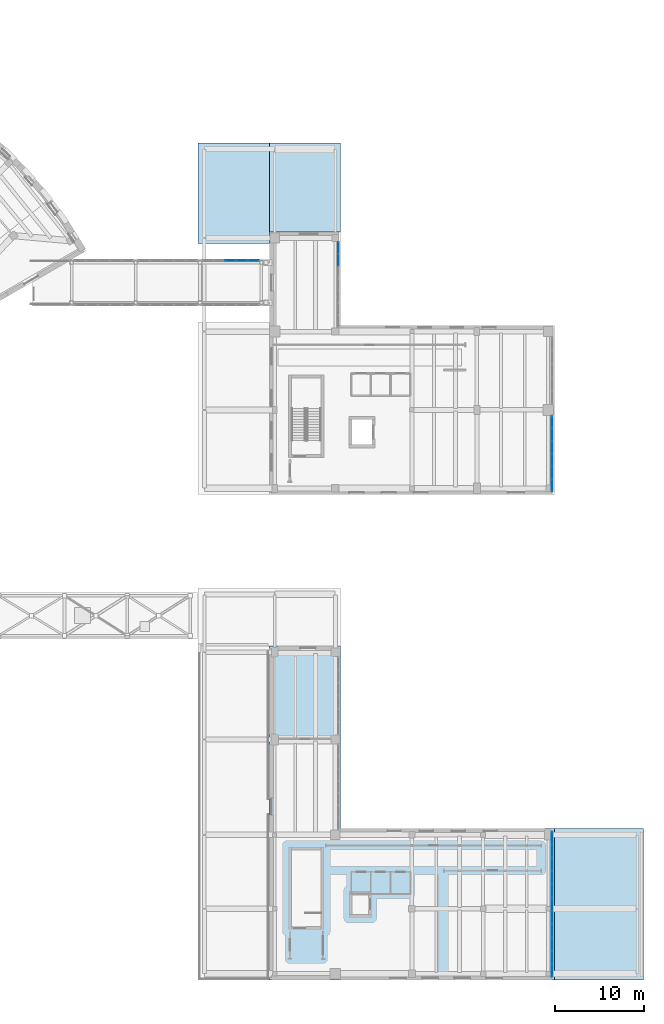
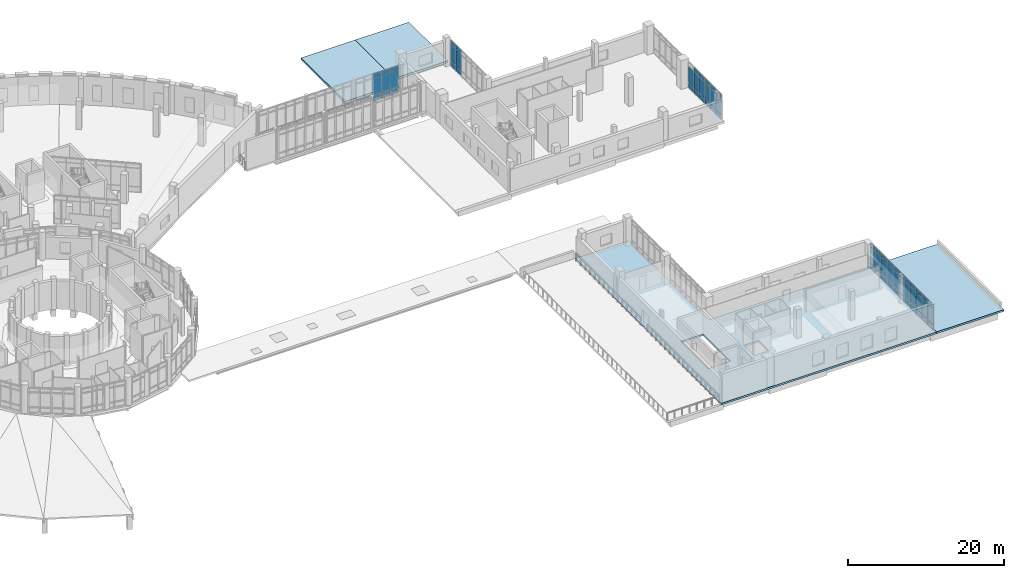
# One storey, part 44 of 75: 65 plates, 4 slabs, 4 elements without a shape of their own.
"""IFC4 building model written with IfcOpenShell, lengths in metres."""

from ifc_helpers import new_model, si_unit, direction, frame, origin, origin_2d, place, context, subcontext, project, spatial, polyline, rectangle, outline, extrude, material, layer, layer_set, type_object, element, aggregate, save


model = new_model("IFC4")

# Units and contexts
model_context = context("Model", 3, precision=1e-05, world=origin(), true_north=direction((0.0, 1.0)))
body_context = subcontext(model_context, "Body", "Model", "MODEL_VIEW")
ifc_project = project(units=[si_unit("LENGTHUNIT", "METRE"), si_unit("AREAUNIT", "SQUARE_METRE"), si_unit("VOLUMEUNIT", "CUBIC_METRE"), si_unit("PLANEANGLEUNIT", "RADIAN"), si_unit("MASSUNIT", "GRAM", prefix="KILO")], contexts=[model_context])

# Site, building, storey
site_placement = place(None, origin())
site = spatial("IfcSite", under=ifc_project, at=site_placement, CompositionType="ELEMENT")
building_placement = place(site_placement, origin())
building = spatial("IfcBuilding", under=site, at=building_placement, Name="Soyqirgoq Riverine Aquarium", CompositionType="ELEMENT")
storey_placement = place(building_placement, frame((0.0, 0.0, 10.199951171875)))
storey = spatial("IfcBuildingStorey", under=building, at=storey_placement, Name="L03", CompositionType="ELEMENT", Elevation=10.199951171875)

# Curtain wall, plates
ifc_material_1 = material(Name="Anodised aluminium thermally broken gallery curtain wall", Category="aluminium")
curtain_wall_type_1 = type_object("IfcCurtainWallType", Name="CW_Pavilion_Ribbon", PredefinedType="NOTDEFINED", material=ifc_material_1)
curtain_wall_1_placement = place(storey_placement, origin())
curtain_wall_1 = element("IfcCurtainWall", 1, at=curtain_wall_1_placement, inside=storey, type_object=curtain_wall_type_1, Name="V7 L03 Curtain Wall 134", PredefinedType="NOTDEFINED")
ifc_material_2 = material(Name="Triple insulated laminated low-E glass", Category="glass")
ifc_layer_1 = layer(ifc_material_2, 0.0458984375)
ifc_layer_set_1 = layer_set([ifc_layer_1], Name="Triple insulated laminated low-E glass")
plate_type_1 = type_object("IfcPlateType", Name="CWGlazedPanel_46", PredefinedType="CURTAIN_PANEL", material=ifc_layer_set_1)
plate_1_placement = place(storey_placement, frame((153.75, 64.14794921875, 0.074951171875), z_axis=(0.0, 0.0, 1.0), x_axis=(0.0, -1.0, 0.0)))
plate_1 = element("IfcPlate", 2, at=plate_1_placement, type_object=plate_type_1, Name="CW-05 panel 1.1", PredefinedType="CURTAIN_PANEL", context=body_context, shape_type="SweptSolid", body=[
    extrude(rectangle(XDim=1.334228515625, YDim=0.0458984375, at=origin_2d()), origin(), (0.0, 0.0, 1.0), 0.78759765625),
])
plate_2_placement = place(storey_placement, frame((153.75, 64.14794921875, 0.9375), z_axis=(0.0, 0.0, 1.0), x_axis=(0.0, -1.0, 0.0)))
plate_2 = element("IfcPlate", 3, at=plate_2_placement, type_object=plate_type_1, Name="CW-05 panel 1.2", PredefinedType="CURTAIN_PANEL", context=body_context, shape_type="SweptSolid", body=[
    extrude(rectangle(XDim=1.334228515625, YDim=0.0458984375, at=origin_2d()), origin(), (0.0, 0.0, 1.0), 2.47509765625),
])
plate_3_placement = place(storey_placement, frame((153.75, 62.732421875, 0.074951171875), z_axis=(0.0, 0.0, 1.0), x_axis=(0.0, -1.0, 0.0)))
plate_3 = element("IfcPlate", 4, at=plate_3_placement, type_object=plate_type_1, Name="CW-05 panel 2.1", PredefinedType="CURTAIN_PANEL", context=body_context, shape_type="SweptSolid", body=[
    extrude(rectangle(XDim=1.36669921875, YDim=0.0458984375, at=origin_2d()), origin(), (0.0, 0.0, 1.0), 0.78759765625),
])
plate_4_placement = place(storey_placement, frame((153.75, 62.732421875, 0.9375), z_axis=(0.0, 0.0, 1.0), x_axis=(0.0, -1.0, 0.0)))
plate_4 = element("IfcPlate", 5, at=plate_4_placement, type_object=plate_type_1, Name="CW-05 panel 2.2", PredefinedType="CURTAIN_PANEL", context=body_context, shape_type="SweptSolid", body=[
    extrude(rectangle(XDim=1.36669921875, YDim=0.0458984375, at=origin_2d()), origin(), (0.0, 0.0, 1.0), 2.47509765625),
])
plate_5_placement = place(storey_placement, frame((153.75, 62.732421875, 3.487548828125), z_axis=(0.0, 0.0, 1.0), x_axis=(0.0, -1.0, 0.0)))
plate_5 = element("IfcPlate", 6, at=plate_5_placement, type_object=plate_type_1, Name="CW-05 panel 2.3", PredefinedType="CURTAIN_PANEL", context=body_context, shape_type="SweptSolid", body=[
    extrude(rectangle(XDim=1.36669921875, YDim=0.0458984375, at=origin_2d()), origin(), (0.0, 0.0, 1.0), 0.58740234375),
])
plate_6_placement = place(storey_placement, frame((153.75, 61.30078125, 0.074951171875), z_axis=(0.0, 0.0, 1.0), x_axis=(0.0, -1.0, 0.0)))
plate_6 = element("IfcPlate", 7, at=plate_6_placement, type_object=plate_type_1, Name="CW-05 panel 3.1", PredefinedType="CURTAIN_PANEL", context=body_context, shape_type="SweptSolid", body=[
    extrude(rectangle(XDim=1.36669921875, YDim=0.0458984375, at=origin_2d()), origin(), (0.0, 0.0, 1.0), 0.78759765625),
])
plate_7_placement = place(storey_placement, frame((153.75, 61.30078125, 0.9375), z_axis=(0.0, 0.0, 1.0), x_axis=(0.0, -1.0, 0.0)))
plate_7 = element("IfcPlate", 8, at=plate_7_placement, type_object=plate_type_1, Name="CW-05 panel 3.2", PredefinedType="CURTAIN_PANEL", context=body_context, shape_type="SweptSolid", body=[
    extrude(rectangle(XDim=1.36669921875, YDim=0.0458984375, at=origin_2d()), origin(), (0.0, 0.0, 1.0), 2.47509765625),
])
plate_8_placement = place(storey_placement, frame((153.75, 61.30078125, 3.487548828125), z_axis=(0.0, 0.0, 1.0), x_axis=(0.0, -1.0, 0.0)))
plate_8 = element("IfcPlate", 9, at=plate_8_placement, type_object=plate_type_1, Name="CW-05 panel 3.3", PredefinedType="CURTAIN_PANEL", context=body_context, shape_type="SweptSolid", body=[
    extrude(rectangle(XDim=1.36669921875, YDim=0.0458984375, at=origin_2d()), origin(), (0.0, 0.0, 1.0), 0.58740234375),
])
plate_9_placement = place(storey_placement, frame((153.75, 59.869140625, 0.074951171875), z_axis=(0.0, 0.0, 1.0), x_axis=(0.0, -1.0, 0.0)))
plate_9 = element("IfcPlate", 10, at=plate_9_placement, type_object=plate_type_1, Name="CW-05 panel 4.1", PredefinedType="CURTAIN_PANEL", context=body_context, shape_type="SweptSolid", body=[
    extrude(rectangle(XDim=1.36669921875, YDim=0.0458984375, at=origin_2d()), origin(), (0.0, 0.0, 1.0), 0.78759765625),
])
plate_10_placement = place(storey_placement, frame((153.75, 59.869140625, 0.9375), z_axis=(0.0, 0.0, 1.0), x_axis=(0.0, -1.0, 0.0)))
plate_10 = element("IfcPlate", 11, at=plate_10_placement, type_object=plate_type_1, Name="CW-05 panel 4.2", PredefinedType="CURTAIN_PANEL", context=body_context, shape_type="SweptSolid", body=[
    extrude(rectangle(XDim=1.36669921875, YDim=0.0458984375, at=origin_2d()), origin(), (0.0, 0.0, 1.0), 2.47509765625),
])
plate_11_placement = place(storey_placement, frame((153.75, 59.869140625, 3.487548828125), z_axis=(0.0, 0.0, 1.0), x_axis=(0.0, -1.0, 0.0)))
plate_11 = element("IfcPlate", 12, at=plate_11_placement, type_object=plate_type_1, Name="CW-05 panel 4.3", PredefinedType="CURTAIN_PANEL", context=body_context, shape_type="SweptSolid", body=[
    extrude(rectangle(XDim=1.36669921875, YDim=0.0458984375, at=origin_2d()), origin(), (0.0, 0.0, 1.0), 0.58740234375),
])
plate_12_placement = place(storey_placement, frame((153.75, 58.4375, 0.074951171875), z_axis=(0.0, 0.0, 1.0), x_axis=(0.0, -1.0, 0.0)))
plate_12 = element("IfcPlate", 13, at=plate_12_placement, type_object=plate_type_1, Name="CW-05 panel 5.1", PredefinedType="CURTAIN_PANEL", context=body_context, shape_type="SweptSolid", body=[
    extrude(rectangle(XDim=1.36669921875, YDim=0.0458984375, at=origin_2d()), origin(), (0.0, 0.0, 1.0), 0.78759765625),
])
plate_13_placement = place(storey_placement, frame((153.75, 58.4375, 0.9375), z_axis=(0.0, 0.0, 1.0), x_axis=(0.0, -1.0, 0.0)))
plate_13 = element("IfcPlate", 14, at=plate_13_placement, type_object=plate_type_1, Name="CW-05 panel 5.2", PredefinedType="CURTAIN_PANEL", context=body_context, shape_type="SweptSolid", body=[
    extrude(rectangle(XDim=1.36669921875, YDim=0.0458984375, at=origin_2d()), origin(), (0.0, 0.0, 1.0), 2.47509765625),
])
plate_14_placement = place(storey_placement, frame((153.75, 58.4375, 3.487548828125), z_axis=(0.0, 0.0, 1.0), x_axis=(0.0, -1.0, 0.0)))
plate_14 = element("IfcPlate", 15, at=plate_14_placement, type_object=plate_type_1, Name="CW-05 panel 5.3", PredefinedType="CURTAIN_PANEL", context=body_context, shape_type="SweptSolid", body=[
    extrude(rectangle(XDim=1.36669921875, YDim=0.0458984375, at=origin_2d()), origin(), (0.0, 0.0, 1.0), 0.58740234375),
])
plate_15_placement = place(storey_placement, frame((153.75, 57.02197265625, 0.074951171875), z_axis=(0.0, 0.0, 1.0), x_axis=(0.0, -1.0, 0.0)))
plate_15 = element("IfcPlate", 16, at=plate_15_placement, type_object=plate_type_1, Name="CW-05 panel 6.1", PredefinedType="CURTAIN_PANEL", context=body_context, shape_type="SweptSolid", body=[
    extrude(rectangle(XDim=1.334228515625, YDim=0.0458984375, at=origin_2d()), origin(), (0.0, 0.0, 1.0), 0.78759765625),
])
plate_16_placement = place(storey_placement, frame((153.75, 57.02197265625, 0.9375), z_axis=(0.0, 0.0, 1.0), x_axis=(0.0, -1.0, 0.0)))
plate_16 = element("IfcPlate", 17, at=plate_16_placement, type_object=plate_type_1, Name="CW-05 panel 6.2", PredefinedType="CURTAIN_PANEL", context=body_context, shape_type="SweptSolid", body=[
    extrude(rectangle(XDim=1.334228515625, YDim=0.0458984375, at=origin_2d()), origin(), (0.0, 0.0, 1.0), 2.47509765625),
])
plate_17_placement = place(storey_placement, frame((153.75, 57.02197265625, 3.487548828125), z_axis=(0.0, 0.0, 1.0), x_axis=(0.0, -1.0, 0.0)))
plate_17 = element("IfcPlate", 18, at=plate_17_placement, type_object=plate_type_1, Name="CW-05 panel 6.3", PredefinedType="CURTAIN_PANEL", context=body_context, shape_type="SweptSolid", body=[
    extrude(rectangle(XDim=1.334228515625, YDim=0.0458984375, at=origin_2d()), origin(), (0.0, 0.0, 1.0), 0.58740234375),
])
aggregate(curtain_wall_1, [plate_1, plate_2, plate_3, plate_4, plate_5, plate_6, plate_7, plate_8, plate_9, plate_10, plate_11, plate_12, plate_13, plate_14, plate_15, plate_16, plate_17])

ifc_material_3 = material(Name="Laminated solar-control bridge curtain wall", Category="aluminium")
curtain_wall_type_2 = type_object("IfcCurtainWallType", Name="CW_Bridge_Concourse", PredefinedType="NOTDEFINED", material=ifc_material_3)
curtain_wall_2_placement = place(storey_placement, origin())
curtain_wall_2 = element("IfcCurtainWall", 19, at=curtain_wall_2_placement, inside=storey, type_object=curtain_wall_type_2, Name="BR-2 L03 Curtain Wall 146", PredefinedType="NOTDEFINED")
plate_18_placement = place(storey_placement, frame((117.64990234375, 82.280029296875, 0.074951171875), z_axis=(0.0, 0.0, 1.0), x_axis=(1.0, 0.0, 0.0)))
plate_18 = element("IfcPlate", 20, at=plate_18_placement, type_object=plate_type_1, Name="CW-06 panel 3.1", PredefinedType="CURTAIN_PANEL", context=body_context, shape_type="SweptSolid", body=[
    extrude(rectangle(XDim=1.2041015625, YDim=0.0458984375, at=origin_2d()), origin(), (0.0, 0.0, 1.0), 0.78759765625),
])
plate_19_placement = place(storey_placement, frame((117.64990234375, 82.280029296875, 0.9375), z_axis=(0.0, 0.0, 1.0), x_axis=(1.0, 0.0, 0.0)))
plate_19 = element("IfcPlate", 21, at=plate_19_placement, type_object=plate_type_1, Name="CW-06 panel 3.2", PredefinedType="CURTAIN_PANEL", context=body_context, shape_type="SweptSolid", body=[
    extrude(rectangle(XDim=1.2041015625, YDim=0.0458984375, at=origin_2d()), origin(), (0.0, 0.0, 1.0), 2.824951171875),
])
plate_20_placement = place(storey_placement, frame((117.64990234375, 82.280029296875, 3.837646484375), z_axis=(0.0, 0.0, 1.0), x_axis=(1.0, 0.0, 0.0)))
plate_20 = element("IfcPlate", 22, at=plate_20_placement, type_object=plate_type_1, Name="CW-06 panel 3.3", PredefinedType="CURTAIN_PANEL", context=body_context, shape_type="SweptSolid", body=[
    extrude(rectangle(XDim=1.2041015625, YDim=0.0458984375, at=origin_2d()), origin(), (0.0, 0.0, 1.0), 0.58740234375),
])
plate_21_placement = place(storey_placement, frame((118.93408203125, 82.280029296875, 0.074951171875), z_axis=(0.0, 0.0, 1.0), x_axis=(1.0, 0.0, 0.0)))
plate_21 = element("IfcPlate", 23, at=plate_21_placement, type_object=plate_type_1, Name="CW-06 panel 4.1", PredefinedType="CURTAIN_PANEL", context=body_context, shape_type="SweptSolid", body=[
    extrude(rectangle(XDim=1.2041015625, YDim=0.0458984375, at=origin_2d()), origin(), (0.0, 0.0, 1.0), 0.78759765625),
])
plate_22_placement = place(storey_placement, frame((118.93408203125, 82.280029296875, 0.9375), z_axis=(0.0, 0.0, 1.0), x_axis=(1.0, 0.0, 0.0)))
plate_22 = element("IfcPlate", 24, at=plate_22_placement, type_object=plate_type_1, Name="CW-06 panel 4.2", PredefinedType="CURTAIN_PANEL", context=body_context, shape_type="SweptSolid", body=[
    extrude(rectangle(XDim=1.2041015625, YDim=0.0458984375, at=origin_2d()), origin(), (0.0, 0.0, 1.0), 2.824951171875),
])
plate_23_placement = place(storey_placement, frame((118.93408203125, 82.280029296875, 3.837646484375), z_axis=(0.0, 0.0, 1.0), x_axis=(1.0, 0.0, 0.0)))
plate_23 = element("IfcPlate", 25, at=plate_23_placement, type_object=plate_type_1, Name="CW-06 panel 4.3", PredefinedType="CURTAIN_PANEL", context=body_context, shape_type="SweptSolid", body=[
    extrude(rectangle(XDim=1.2041015625, YDim=0.0458984375, at=origin_2d()), origin(), (0.0, 0.0, 1.0), 0.58740234375),
])
plate_24_placement = place(storey_placement, frame((120.197998046875, 82.280029296875, 0.074951171875), z_axis=(0.0, 0.0, 1.0), x_axis=(1.0, 0.0, 0.0)))
plate_24 = element("IfcPlate", 26, at=plate_24_placement, type_object=plate_type_1, Name="CW-06 panel 5.1", PredefinedType="CURTAIN_PANEL", context=body_context, shape_type="SweptSolid", body=[
    extrude(rectangle(XDim=1.1640625, YDim=0.0458984375, at=origin_2d()), origin(), (0.0, 0.0, 1.0), 0.78759765625),
])
plate_25_placement = place(storey_placement, frame((120.197998046875, 82.280029296875, 0.9375), z_axis=(0.0, 0.0, 1.0), x_axis=(1.0, 0.0, 0.0)))
plate_25 = element("IfcPlate", 27, at=plate_25_placement, type_object=plate_type_1, Name="CW-06 panel 5.2", PredefinedType="CURTAIN_PANEL", context=body_context, shape_type="SweptSolid", body=[
    extrude(rectangle(XDim=1.1640625, YDim=0.0458984375, at=origin_2d()), origin(), (0.0, 0.0, 1.0), 2.824951171875),
])
plate_26_placement = place(storey_placement, frame((120.197998046875, 82.280029296875, 3.837646484375), z_axis=(0.0, 0.0, 1.0), x_axis=(1.0, 0.0, 0.0)))
plate_26 = element("IfcPlate", 28, at=plate_26_placement, type_object=plate_type_1, Name="CW-06 panel 5.3", PredefinedType="CURTAIN_PANEL", context=body_context, shape_type="SweptSolid", body=[
    extrude(rectangle(XDim=1.1640625, YDim=0.0458984375, at=origin_2d()), origin(), (0.0, 0.0, 1.0), 0.58740234375),
])
aggregate(curtain_wall_2, [plate_18, plate_19, plate_20, plate_21, plate_22, plate_23, plate_24, plate_25, plate_26])

curtain_wall_3_placement = place(storey_placement, origin())
curtain_wall_3 = element("IfcCurtainWall", 29, at=curtain_wall_3_placement, inside=storey, type_object=curtain_wall_type_1, Name="V6 L03 Curtain Wall 120", PredefinedType="NOTDEFINED")
ifc_material_4 = material(Name="Insulated shadow-box aluminium spandrel panel", Category="aluminium")
ifc_layer_2 = layer(ifc_material_4, 0.06005859375)
ifc_layer_set_2 = layer_set([ifc_layer_2], Name="Insulated shadow-box aluminium spandrel panel")
plate_type_2 = type_object("IfcPlateType", Name="CWSpandrelPanel_60", PredefinedType="CURTAIN_PANEL", material=ifc_layer_set_2)
plate_27_placement = place(storey_placement, frame((153.75, 17.447265625, 0.074951171875), z_axis=(0.0, 0.0, 1.0), x_axis=(0.0, -1.0, 0.0)))
plate_27 = element("IfcPlate", 30, at=plate_27_placement, type_object=plate_type_2, Name="CW-05 panel 1.1", PredefinedType="CURTAIN_PANEL", context=body_context, shape_type="SweptSolid", body=[
    extrude(rectangle(XDim=1.395263671875, YDim=0.06005859375, at=origin_2d()), origin(), (0.0, 0.0, 1.0), 0.78759765625),
])
plate_28_placement = place(storey_placement, frame((153.75, 17.447265625, 0.9375), z_axis=(0.0, 0.0, 1.0), x_axis=(0.0, -1.0, 0.0)))
plate_28 = element("IfcPlate", 31, at=plate_28_placement, type_object=plate_type_2, Name="CW-05 panel 1.2", PredefinedType="CURTAIN_PANEL", context=body_context, shape_type="SweptSolid", body=[
    extrude(rectangle(XDim=1.395263671875, YDim=0.06005859375, at=origin_2d()), origin(), (0.0, 0.0, 1.0), 2.514892578125),
])
plate_29_placement = place(storey_placement, frame((153.75, 17.447265625, 3.527587890625), z_axis=(0.0, 0.0, 1.0), x_axis=(0.0, -1.0, 0.0)))
plate_29 = element("IfcPlate", 32, at=plate_29_placement, type_object=plate_type_2, Name="CW-05 panel 1.3", PredefinedType="CURTAIN_PANEL", context=body_context, shape_type="SweptSolid", body=[
    extrude(rectangle(XDim=1.395263671875, YDim=0.06005859375, at=origin_2d()), origin(), (0.0, 0.0, 1.0), 0.58740234375),
])
plate_30_placement = place(storey_placement, frame((153.75, 15.970947265625, 0.074951171875), z_axis=(0.0, 0.0, 1.0), x_axis=(0.0, -1.0, 0.0)))
plate_30 = element("IfcPlate", 33, at=plate_30_placement, type_object=plate_type_2, Name="CW-05 panel 2.1", PredefinedType="CURTAIN_PANEL", context=body_context, shape_type="SweptSolid", body=[
    extrude(rectangle(XDim=1.427734375, YDim=0.06005859375, at=origin_2d()), origin(), (0.0, 0.0, 1.0), 0.78759765625),
])
plate_31_placement = place(storey_placement, frame((153.75, 15.970947265625, 0.9375), z_axis=(0.0, 0.0, 1.0), x_axis=(0.0, -1.0, 0.0)))
plate_31 = element("IfcPlate", 34, at=plate_31_placement, type_object=plate_type_2, Name="CW-05 panel 2.2", PredefinedType="CURTAIN_PANEL", context=body_context, shape_type="SweptSolid", body=[
    extrude(rectangle(XDim=1.427734375, YDim=0.06005859375, at=origin_2d()), origin(), (0.0, 0.0, 1.0), 2.514892578125),
])
plate_32_placement = place(storey_placement, frame((153.75, 15.970947265625, 3.527587890625), z_axis=(0.0, 0.0, 1.0), x_axis=(0.0, -1.0, 0.0)))
plate_32 = element("IfcPlate", 35, at=plate_32_placement, type_object=plate_type_2, Name="CW-05 panel 2.3", PredefinedType="CURTAIN_PANEL", context=body_context, shape_type="SweptSolid", body=[
    extrude(rectangle(XDim=1.427734375, YDim=0.06005859375, at=origin_2d()), origin(), (0.0, 0.0, 1.0), 0.58740234375),
])
plate_33_placement = place(storey_placement, frame((153.75, 14.478271484375, 0.074951171875), z_axis=(0.0, 0.0, 1.0), x_axis=(0.0, -1.0, 0.0)))
plate_33 = element("IfcPlate", 36, at=plate_33_placement, type_object=plate_type_2, Name="CW-05 panel 3.1", PredefinedType="CURTAIN_PANEL", context=body_context, shape_type="SweptSolid", body=[
    extrude(rectangle(XDim=1.427734375, YDim=0.06005859375, at=origin_2d()), origin(), (0.0, 0.0, 1.0), 0.78759765625),
])
plate_34_placement = place(storey_placement, frame((153.75, 14.478271484375, 0.9375), z_axis=(0.0, 0.0, 1.0), x_axis=(0.0, -1.0, 0.0)))
plate_34 = element("IfcPlate", 37, at=plate_34_placement, type_object=plate_type_2, Name="CW-05 panel 3.2", PredefinedType="CURTAIN_PANEL", context=body_context, shape_type="SweptSolid", body=[
    extrude(rectangle(XDim=1.427734375, YDim=0.06005859375, at=origin_2d()), origin(), (0.0, 0.0, 1.0), 2.514892578125),
])
plate_35_placement = place(storey_placement, frame((153.75, 14.478271484375, 3.527587890625), z_axis=(0.0, 0.0, 1.0), x_axis=(0.0, -1.0, 0.0)))
plate_35 = element("IfcPlate", 38, at=plate_35_placement, type_object=plate_type_2, Name="CW-05 panel 3.3", PredefinedType="CURTAIN_PANEL", context=body_context, shape_type="SweptSolid", body=[
    extrude(rectangle(XDim=1.427734375, YDim=0.06005859375, at=origin_2d()), origin(), (0.0, 0.0, 1.0), 0.58740234375),
])
plate_36_placement = place(storey_placement, frame((153.75, 12.9853515625, 0.074951171875), z_axis=(0.0, 0.0, 1.0), x_axis=(0.0, -1.0, 0.0)))
plate_36 = element("IfcPlate", 39, at=plate_36_placement, type_object=plate_type_2, Name="CW-05 panel 4.1", PredefinedType="CURTAIN_PANEL", context=body_context, shape_type="SweptSolid", body=[
    extrude(rectangle(XDim=1.427734375, YDim=0.06005859375, at=origin_2d()), origin(), (0.0, 0.0, 1.0), 0.78759765625),
])
plate_37_placement = place(storey_placement, frame((153.75, 12.9853515625, 0.9375), z_axis=(0.0, 0.0, 1.0), x_axis=(0.0, -1.0, 0.0)))
plate_37 = element("IfcPlate", 40, at=plate_37_placement, type_object=plate_type_2, Name="CW-05 panel 4.2", PredefinedType="CURTAIN_PANEL", context=body_context, shape_type="SweptSolid", body=[
    extrude(rectangle(XDim=1.427734375, YDim=0.06005859375, at=origin_2d()), origin(), (0.0, 0.0, 1.0), 2.514892578125),
])
plate_38_placement = place(storey_placement, frame((153.75, 12.9853515625, 3.527587890625), z_axis=(0.0, 0.0, 1.0), x_axis=(0.0, -1.0, 0.0)))
plate_38 = element("IfcPlate", 41, at=plate_38_placement, type_object=plate_type_2, Name="CW-05 panel 4.3", PredefinedType="CURTAIN_PANEL", context=body_context, shape_type="SweptSolid", body=[
    extrude(rectangle(XDim=1.427734375, YDim=0.06005859375, at=origin_2d()), origin(), (0.0, 0.0, 1.0), 0.58740234375),
])
plate_39_placement = place(storey_placement, frame((153.75, 11.49267578125, 0.074951171875), z_axis=(0.0, 0.0, 1.0), x_axis=(0.0, -1.0, 0.0)))
plate_39 = element("IfcPlate", 42, at=plate_39_placement, type_object=plate_type_2, Name="CW-05 panel 5.1", PredefinedType="CURTAIN_PANEL", context=body_context, shape_type="SweptSolid", body=[
    extrude(rectangle(XDim=1.427734375, YDim=0.06005859375, at=origin_2d()), origin(), (0.0, 0.0, 1.0), 0.78759765625),
])
plate_40_placement = place(storey_placement, frame((153.75, 11.49267578125, 0.9375), z_axis=(0.0, 0.0, 1.0), x_axis=(0.0, -1.0, 0.0)))
plate_40 = element("IfcPlate", 43, at=plate_40_placement, type_object=plate_type_2, Name="CW-05 panel 5.2", PredefinedType="CURTAIN_PANEL", context=body_context, shape_type="SweptSolid", body=[
    extrude(rectangle(XDim=1.427734375, YDim=0.06005859375, at=origin_2d()), origin(), (0.0, 0.0, 1.0), 2.514892578125),
])
plate_41_placement = place(storey_placement, frame((153.75, 11.49267578125, 3.527587890625), z_axis=(0.0, 0.0, 1.0), x_axis=(0.0, -1.0, 0.0)))
plate_41 = element("IfcPlate", 44, at=plate_41_placement, type_object=plate_type_2, Name="CW-05 panel 5.3", PredefinedType="CURTAIN_PANEL", context=body_context, shape_type="SweptSolid", body=[
    extrude(rectangle(XDim=1.427734375, YDim=0.06005859375, at=origin_2d()), origin(), (0.0, 0.0, 1.0), 0.58740234375),
])
plate_42_placement = place(storey_placement, frame((153.75, 10.0, 0.074951171875), z_axis=(0.0, 0.0, 1.0), x_axis=(0.0, -1.0, 0.0)))
plate_42 = element("IfcPlate", 45, at=plate_42_placement, type_object=plate_type_2, Name="CW-05 panel 6.1", PredefinedType="CURTAIN_PANEL", context=body_context, shape_type="SweptSolid", body=[
    extrude(rectangle(XDim=1.427734375, YDim=0.06005859375, at=origin_2d()), origin(), (0.0, 0.0, 1.0), 0.78759765625),
])
plate_43_placement = place(storey_placement, frame((153.75, 10.0, 0.9375), z_axis=(0.0, 0.0, 1.0), x_axis=(0.0, -1.0, 0.0)))
plate_43 = element("IfcPlate", 46, at=plate_43_placement, type_object=plate_type_2, Name="CW-05 panel 6.2", PredefinedType="CURTAIN_PANEL", context=body_context, shape_type="SweptSolid", body=[
    extrude(rectangle(XDim=1.427734375, YDim=0.06005859375, at=origin_2d()), origin(), (0.0, 0.0, 1.0), 2.514892578125),
])
plate_44_placement = place(storey_placement, frame((153.75, 10.0, 3.527587890625), z_axis=(0.0, 0.0, 1.0), x_axis=(0.0, -1.0, 0.0)))
plate_44 = element("IfcPlate", 47, at=plate_44_placement, type_object=plate_type_2, Name="CW-05 panel 6.3", PredefinedType="CURTAIN_PANEL", context=body_context, shape_type="SweptSolid", body=[
    extrude(rectangle(XDim=1.427734375, YDim=0.06005859375, at=origin_2d()), origin(), (0.0, 0.0, 1.0), 0.58740234375),
])
plate_45_placement = place(storey_placement, frame((153.75, 8.50732421875, 0.074951171875), z_axis=(0.0, 0.0, 1.0), x_axis=(0.0, -1.0, 0.0)))
plate_45 = element("IfcPlate", 48, at=plate_45_placement, type_object=plate_type_2, Name="CW-05 panel 7.1", PredefinedType="CURTAIN_PANEL", context=body_context, shape_type="SweptSolid", body=[
    extrude(rectangle(XDim=1.427734375, YDim=0.06005859375, at=origin_2d()), origin(), (0.0, 0.0, 1.0), 0.78759765625),
])
plate_46_placement = place(storey_placement, frame((153.75, 8.50732421875, 0.9375), z_axis=(0.0, 0.0, 1.0), x_axis=(0.0, -1.0, 0.0)))
plate_46 = element("IfcPlate", 49, at=plate_46_placement, type_object=plate_type_2, Name="CW-05 panel 7.2", PredefinedType="CURTAIN_PANEL", context=body_context, shape_type="SweptSolid", body=[
    extrude(rectangle(XDim=1.427734375, YDim=0.06005859375, at=origin_2d()), origin(), (0.0, 0.0, 1.0), 2.514892578125),
])
plate_47_placement = place(storey_placement, frame((153.75, 8.50732421875, 3.527587890625), z_axis=(0.0, 0.0, 1.0), x_axis=(0.0, -1.0, 0.0)))
plate_47 = element("IfcPlate", 50, at=plate_47_placement, type_object=plate_type_2, Name="CW-05 panel 7.3", PredefinedType="CURTAIN_PANEL", context=body_context, shape_type="SweptSolid", body=[
    extrude(rectangle(XDim=1.427734375, YDim=0.06005859375, at=origin_2d()), origin(), (0.0, 0.0, 1.0), 0.58740234375),
])
plate_48_placement = place(storey_placement, frame((153.75, 7.0146484375, 0.074951171875), z_axis=(0.0, 0.0, 1.0), x_axis=(0.0, -1.0, 0.0)))
plate_48 = element("IfcPlate", 51, at=plate_48_placement, type_object=plate_type_2, Name="CW-05 panel 8.1", PredefinedType="CURTAIN_PANEL", context=body_context, shape_type="SweptSolid", body=[
    extrude(rectangle(XDim=1.427734375, YDim=0.06005859375, at=origin_2d()), origin(), (0.0, 0.0, 1.0), 0.78759765625),
])
plate_49_placement = place(storey_placement, frame((153.75, 7.0146484375, 0.9375), z_axis=(0.0, 0.0, 1.0), x_axis=(0.0, -1.0, 0.0)))
plate_49 = element("IfcPlate", 52, at=plate_49_placement, type_object=plate_type_2, Name="CW-05 panel 8.2", PredefinedType="CURTAIN_PANEL", context=body_context, shape_type="SweptSolid", body=[
    extrude(rectangle(XDim=1.427734375, YDim=0.06005859375, at=origin_2d()), origin(), (0.0, 0.0, 1.0), 2.514892578125),
])
plate_50_placement = place(storey_placement, frame((153.75, 7.0146484375, 3.527587890625), z_axis=(0.0, 0.0, 1.0), x_axis=(0.0, -1.0, 0.0)))
plate_50 = element("IfcPlate", 53, at=plate_50_placement, type_object=plate_type_2, Name="CW-05 panel 8.3", PredefinedType="CURTAIN_PANEL", context=body_context, shape_type="SweptSolid", body=[
    extrude(rectangle(XDim=1.427734375, YDim=0.06005859375, at=origin_2d()), origin(), (0.0, 0.0, 1.0), 0.58740234375),
])
plate_51_placement = place(storey_placement, frame((153.75, 5.521728515625, 0.074951171875), z_axis=(0.0, 0.0, 1.0), x_axis=(0.0, -1.0, 0.0)))
plate_51 = element("IfcPlate", 54, at=plate_51_placement, type_object=plate_type_2, Name="CW-05 panel 9.1", PredefinedType="CURTAIN_PANEL", context=body_context, shape_type="SweptSolid", body=[
    extrude(rectangle(XDim=1.427734375, YDim=0.06005859375, at=origin_2d()), origin(), (0.0, 0.0, 1.0), 0.78759765625),
])
plate_52_placement = place(storey_placement, frame((153.75, 5.521728515625, 0.9375), z_axis=(0.0, 0.0, 1.0), x_axis=(0.0, -1.0, 0.0)))
plate_52 = element("IfcPlate", 55, at=plate_52_placement, type_object=plate_type_2, Name="CW-05 panel 9.2", PredefinedType="CURTAIN_PANEL", context=body_context, shape_type="SweptSolid", body=[
    extrude(rectangle(XDim=1.427734375, YDim=0.06005859375, at=origin_2d()), origin(), (0.0, 0.0, 1.0), 2.514892578125),
])
plate_53_placement = place(storey_placement, frame((153.75, 5.521728515625, 3.527587890625), z_axis=(0.0, 0.0, 1.0), x_axis=(0.0, -1.0, 0.0)))
plate_53 = element("IfcPlate", 56, at=plate_53_placement, type_object=plate_type_2, Name="CW-05 panel 9.3", PredefinedType="CURTAIN_PANEL", context=body_context, shape_type="SweptSolid", body=[
    extrude(rectangle(XDim=1.427734375, YDim=0.06005859375, at=origin_2d()), origin(), (0.0, 0.0, 1.0), 0.58740234375),
])
plate_54_placement = place(storey_placement, frame((153.75, 4.029052734375, 0.074951171875), z_axis=(0.0, 0.0, 1.0), x_axis=(0.0, -1.0, 0.0)))
plate_54 = element("IfcPlate", 57, at=plate_54_placement, type_object=plate_type_2, Name="CW-05 panel 10.1", PredefinedType="CURTAIN_PANEL", context=body_context, shape_type="SweptSolid", body=[
    extrude(rectangle(XDim=1.427734375, YDim=0.06005859375, at=origin_2d()), origin(), (0.0, 0.0, 1.0), 0.78759765625),
])
plate_55_placement = place(storey_placement, frame((153.75, 4.029052734375, 0.9375), z_axis=(0.0, 0.0, 1.0), x_axis=(0.0, -1.0, 0.0)))
plate_55 = element("IfcPlate", 58, at=plate_55_placement, type_object=plate_type_2, Name="CW-05 panel 10.2", PredefinedType="CURTAIN_PANEL", context=body_context, shape_type="SweptSolid", body=[
    extrude(rectangle(XDim=1.427734375, YDim=0.06005859375, at=origin_2d()), origin(), (0.0, 0.0, 1.0), 2.514892578125),
])
plate_56_placement = place(storey_placement, frame((153.75, 4.029052734375, 3.527587890625), z_axis=(0.0, 0.0, 1.0), x_axis=(0.0, -1.0, 0.0)))
plate_56 = element("IfcPlate", 59, at=plate_56_placement, type_object=plate_type_2, Name="CW-05 panel 10.3", PredefinedType="CURTAIN_PANEL", context=body_context, shape_type="SweptSolid", body=[
    extrude(rectangle(XDim=1.427734375, YDim=0.06005859375, at=origin_2d()), origin(), (0.0, 0.0, 1.0), 0.58740234375),
])
plate_57_placement = place(storey_placement, frame((153.75, 2.552734375, 0.074951171875), z_axis=(0.0, 0.0, 1.0), x_axis=(0.0, -1.0, 0.0)))
plate_57 = element("IfcPlate", 60, at=plate_57_placement, type_object=plate_type_2, Name="CW-05 panel 11.1", PredefinedType="CURTAIN_PANEL", context=body_context, shape_type="SweptSolid", body=[
    extrude(rectangle(XDim=1.395263671875, YDim=0.06005859375, at=origin_2d()), origin(), (0.0, 0.0, 1.0), 0.78759765625),
])
plate_58_placement = place(storey_placement, frame((153.75, 2.552734375, 0.9375), z_axis=(0.0, 0.0, 1.0), x_axis=(0.0, -1.0, 0.0)))
plate_58 = element("IfcPlate", 61, at=plate_58_placement, type_object=plate_type_2, Name="CW-05 panel 11.2", PredefinedType="CURTAIN_PANEL", context=body_context, shape_type="SweptSolid", body=[
    extrude(rectangle(XDim=1.395263671875, YDim=0.06005859375, at=origin_2d()), origin(), (0.0, 0.0, 1.0), 2.514892578125),
])
plate_59_placement = place(storey_placement, frame((153.75, 2.552734375, 3.527587890625), z_axis=(0.0, 0.0, 1.0), x_axis=(0.0, -1.0, 0.0)))
plate_59 = element("IfcPlate", 62, at=plate_59_placement, type_object=plate_type_2, Name="CW-05 panel 11.3", PredefinedType="CURTAIN_PANEL", context=body_context, shape_type="SweptSolid", body=[
    extrude(rectangle(XDim=1.395263671875, YDim=0.06005859375, at=origin_2d()), origin(), (0.0, 0.0, 1.0), 0.58740234375),
])
aggregate(curtain_wall_3, [plate_27, plate_28, plate_29, plate_30, plate_31, plate_32, plate_33, plate_34, plate_35, plate_36, plate_37, plate_38, plate_39, plate_40, plate_41, plate_42, plate_43, plate_44, plate_45, plate_46, plate_47, plate_48, plate_49, plate_50, plate_51, plate_52, plate_53, plate_54, plate_55, plate_56, plate_57, plate_58, plate_59])

curtain_wall_4_placement = place(storey_placement, origin())
curtain_wall_4 = element("IfcCurtainWall", 63, at=curtain_wall_4_placement, inside=storey, type_object=curtain_wall_type_1, Name="V7 L03 Curtain Wall 132", PredefinedType="NOTDEFINED")
plate_60_placement = place(storey_placement, frame((129.75, 83.701904296875, 0.074951171875), z_axis=(0.0, 0.0, 1.0), x_axis=(0.0, -1.0, 0.0)))
plate_60 = element("IfcPlate", 64, at=plate_60_placement, type_object=plate_type_2, Name="CW-05 panel 1.1", PredefinedType="CURTAIN_PANEL", context=body_context, shape_type="SweptSolid", body=[
    extrude(rectangle(XDim=1.276123046875, YDim=0.06005859375, at=origin_2d()), origin(), (0.0, 0.0, 1.0), 0.78759765625),
])
plate_61_placement = place(storey_placement, frame((129.75, 83.701904296875, 0.9375), z_axis=(0.0, 0.0, 1.0), x_axis=(0.0, -1.0, 0.0)))
plate_61 = element("IfcPlate", 65, at=plate_61_placement, type_object=plate_type_2, Name="CW-05 panel 1.2", PredefinedType="CURTAIN_PANEL", context=body_context, shape_type="SweptSolid", body=[
    extrude(rectangle(XDim=1.276123046875, YDim=0.06005859375, at=origin_2d()), origin(), (0.0, 0.0, 1.0), 2.47509765625),
])
plate_62_placement = place(storey_placement, frame((129.75, 83.701904296875, 3.487548828125), z_axis=(0.0, 0.0, 1.0), x_axis=(0.0, -1.0, 0.0)))
plate_62 = element("IfcPlate", 66, at=plate_62_placement, type_object=plate_type_2, Name="CW-05 panel 1.3", PredefinedType="CURTAIN_PANEL", context=body_context, shape_type="SweptSolid", body=[
    extrude(rectangle(XDim=1.276123046875, YDim=0.06005859375, at=origin_2d()), origin(), (0.0, 0.0, 1.0), 0.58740234375),
])
plate_63_placement = place(storey_placement, frame((129.75, 82.3447265625, 0.074951171875), z_axis=(0.0, 0.0, 1.0), x_axis=(0.0, -1.0, 0.0)))
plate_63 = element("IfcPlate", 67, at=plate_63_placement, type_object=plate_type_2, Name="CW-05 panel 2.1", PredefinedType="CURTAIN_PANEL", context=body_context, shape_type="SweptSolid", body=[
    extrude(rectangle(XDim=1.30859375, YDim=0.06005859375, at=origin_2d()), origin(), (0.0, 0.0, 1.0), 0.78759765625),
])
plate_64_placement = place(storey_placement, frame((129.75, 82.3447265625, 0.9375), z_axis=(0.0, 0.0, 1.0), x_axis=(0.0, -1.0, 0.0)))
plate_64 = element("IfcPlate", 68, at=plate_64_placement, type_object=plate_type_2, Name="CW-05 panel 2.2", PredefinedType="CURTAIN_PANEL", context=body_context, shape_type="SweptSolid", body=[
    extrude(rectangle(XDim=1.30859375, YDim=0.06005859375, at=origin_2d()), origin(), (0.0, 0.0, 1.0), 2.47509765625),
])
plate_65_placement = place(storey_placement, frame((129.75, 82.3447265625, 3.487548828125), z_axis=(0.0, 0.0, 1.0), x_axis=(0.0, -1.0, 0.0)))
plate_65 = element("IfcPlate", 69, at=plate_65_placement, type_object=plate_type_2, Name="CW-05 panel 2.3", PredefinedType="CURTAIN_PANEL", context=body_context, shape_type="SweptSolid", body=[
    extrude(rectangle(XDim=1.30859375, YDim=0.06005859375, at=origin_2d()), origin(), (0.0, 0.0, 1.0), 0.58740234375),
])
aggregate(curtain_wall_4, [plate_60, plate_61, plate_62, plate_63, plate_64, plate_65])

# Slabs
ifc_material_5 = material(Name="Concrete C35/45", Category="concrete")
ifc_layer_3 = layer(ifc_material_5, 0.280029296875)
ifc_layer_set_3 = layer_set([ifc_layer_3], Name="Concrete C35/45")
slab_type_1 = type_object("IfcSlabType", Name="FloorSlab_280_C35", PredefinedType="FLOOR", material=ifc_layer_set_3)
slab_1_placement = place(storey_placement, frame((0.0, 0.0, -0.280029296875)))
element("IfcSlab", 70, at=slab_1_placement, inside=storey, type_object=slab_type_1, Name="V6 L03 Suspended Floor Slab", PredefinedType="FLOOR", context=body_context, shape_type="SweptSolid", body=[
    extrude(outline(polyline([(122.0, 1.5), (154.0, 1.5), (154.0, 18.5), (130.0, 18.5), (130.0, 39.0), (122.0, 39.0), (122.0, 1.5)]), holes=[polyline([(127.800048828125, 9.074951171875), (127.800048828125, 16.10009765625), (124.5, 16.10009765625), (124.5, 9.074951171875), (127.800048828125, 9.074951171875)]), polyline([(131.14990234375, 8.699951171875), (133.25, 8.699951171875), (133.25, 11.300048828125), (131.14990234375, 11.300048828125), (131.14990234375, 8.699951171875)])]), origin(), (0.0, 0.0, 1.0), 0.280029296875),
])
ifc_material_6 = material(Name="Concrete C35/45", Category="concrete")
ifc_layer_4 = layer(ifc_material_6, 0.280029296875)
ifc_layer_set_4 = layer_set([ifc_layer_4], Name="Concrete C35/45")
slab_type_2 = type_object("IfcSlabType", Name="StepRoof_280_C35", PredefinedType="ROOF", material=ifc_layer_set_4)
slab_2_placement = place(storey_placement, frame((0.0, 0.0, -0.280029296875)))
element("IfcSlab", 71, at=slab_2_placement, inside=storey, type_object=slab_type_2, Name="V6 L03 East Auditorium Step Roof", PredefinedType="ROOF", context=body_context, shape_type="SweptSolid", body=[
    extrude(outline(polyline([(154.0, 1.5), (164.0, 1.5), (164.0, 18.5), (154.0, 18.5), (154.0, 1.5)])), origin(), (0.0, 0.0, 1.0), 0.280029296875),
])
ifc_material_7 = material(Name="Concrete C35/45", Category="concrete")
ifc_layer_5 = layer(ifc_material_7, 0.35009765625)
ifc_layer_set_5 = layer_set([ifc_layer_5], Name="Concrete C35/45")
slab_type_3 = type_object("IfcSlabType", Name="StepRoof_350_C35", PredefinedType="ROOF", material=ifc_layer_set_5)
slab_3_placement = place(storey_placement, frame((0.0, 0.0, -0.349853515625)))
element("IfcSlab", 72, at=slab_3_placement, inside=storey, type_object=slab_type_3, Name="V7 L03 North-West Passage Step Roof", PredefinedType="ROOF", context=body_context, shape_type="SweptSolid", body=[
    extrude(outline(polyline([(114.0, 84.199951171875), (122.0, 84.199951171875), (122.0, 95.5), (114.0, 95.5), (114.0, 84.199951171875)])), origin(), (0.0, 0.0, 1.0), 0.349853515625),
])
slab_4_placement = place(storey_placement, frame((0.0, 0.0, -0.349853515625)))
element("IfcSlab", 73, at=slab_4_placement, inside=storey, type_object=slab_type_3, Name="V7 L03 North Step Roof", PredefinedType="ROOF", context=body_context, shape_type="SweptSolid", body=[
    extrude(outline(polyline([(122.0, 85.5), (130.0, 85.5), (130.0, 95.5), (122.0, 95.5), (122.0, 85.5)])), origin(), (0.0, 0.0, 1.0), 0.349853515625),
])

save(model, "model.ifc")
